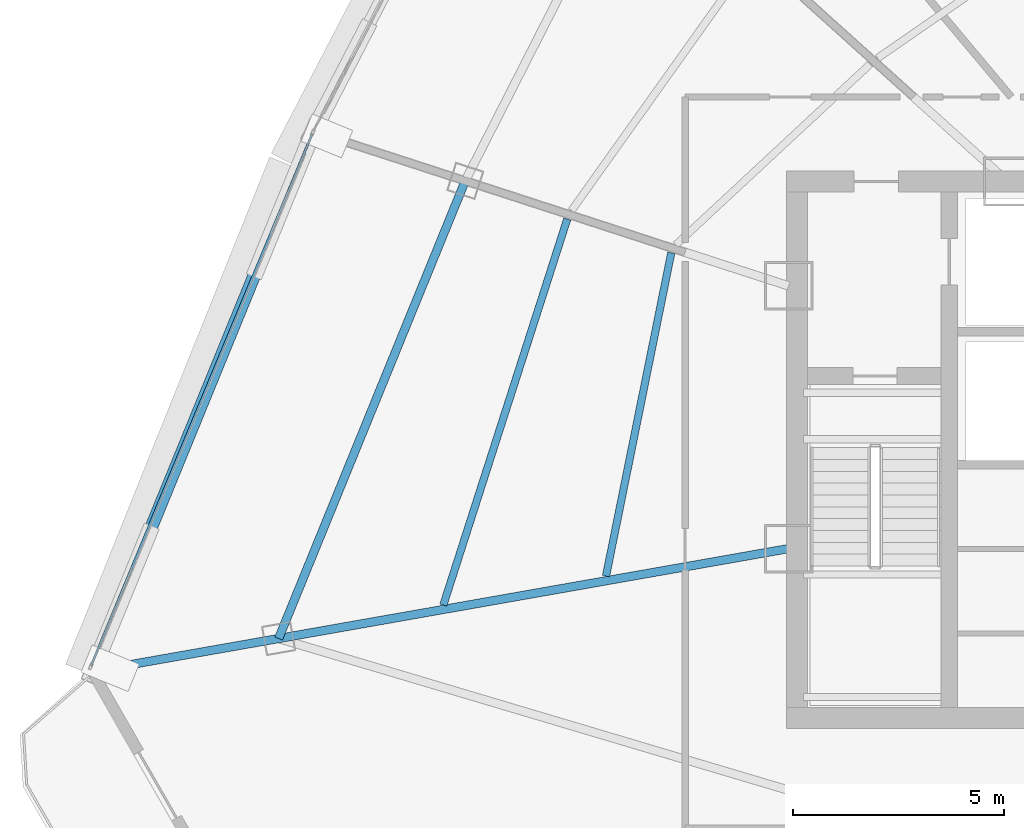
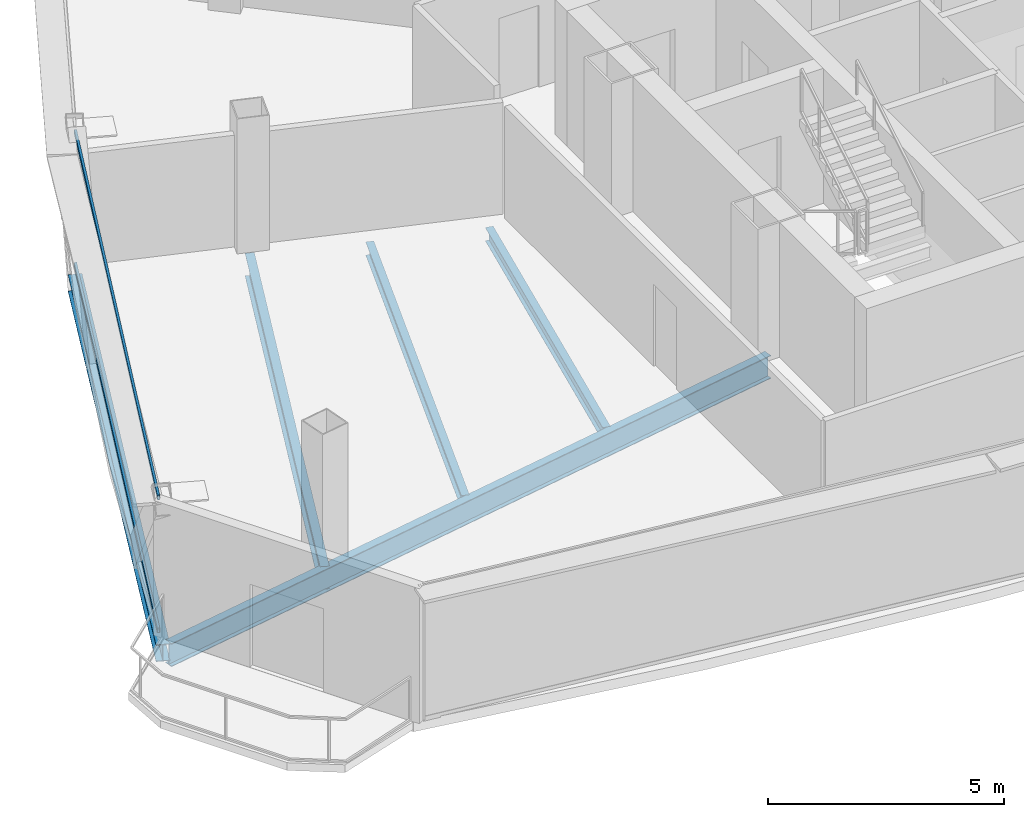
# One storey, part 5 of 34: 5 beams, 2 members, 1 element without a shape of its own.
"""IFC4 building model written with IfcOpenShell, lengths in metres."""

import ifcopenshell
import ifcopenshell.guid

model = None  # the IFC model being written
_history = None  # IfcOwnerHistory: only IFC2X3 demands one
_inside = {}  # id of a spatial element -> (the spatial element, [elements in it])
_under = {}  # id of a project, library or spatial element -> (it, [spatial elements below it])
_declared = {}  # id of a project -> (the project, [libraries it declares])
_typed = {}  # id of a type object -> (the type object, [elements of that type])
_made_of = {}  # id of a material, layer set ... -> (it, [elements and type objects made of it])


def new_model(schema):
    """Start an empty IFC model of exactly this schema.

    Asked for "IFC4X3", IfcOpenShell would pick the latest addendum, in which some entities
    have other attributes; the version numbers below select the first issue.
    IFC2X3 requires an IfcOwnerHistory on every rooted entity: one is made here for all.
    """
    global model, _history
    if schema == "IFC4X3":
        model = ifcopenshell.file(schema_version=(4, 3, 0, 0))
    else:
        model = ifcopenshell.file(schema=schema)
    _inside.clear()
    _under.clear()
    _declared.clear()
    _typed.clear()
    _made_of.clear()
    _history = None
    if model.schema == "IFC2X3":
        org = make("IfcOrganization", Name="unknown")
        user = make(
            "IfcPersonAndOrganization",
            ThePerson=make("IfcPerson", FamilyName="unknown"),
            TheOrganization=org,
        )
        app = make(
            "IfcApplication",
            ApplicationDeveloper=org,
            Version="unknown",
            ApplicationFullName="unknown",
            ApplicationIdentifier="unknown",
        )
        _history = make(
            "IfcOwnerHistory",
            OwningUser=user,
            OwningApplication=app,
            ChangeAction="ADDED",
            CreationDate=0,
        )
    return model


def make(cls, **values):
    """One entity of the class cls with the attributes given. An attribute that is None is left unset."""
    return model.create_entity(
        cls, **{name: value for name, value in values.items() if value is not None}
    )


def rooted(cls, **values):
    """An entity with a GlobalId (a new one), such as an element, a storey or a relation."""
    return make(cls, GlobalId=ifcopenshell.guid.new(), OwnerHistory=_history, **values)


def si_unit(unit_type, name, prefix=None):
    """IfcSIUnit, for example si_unit("LENGTHUNIT", "METRE", prefix="MILLI")."""
    return make("IfcSIUnit", UnitType=unit_type, Prefix=prefix, Name=name)


def assignment(units):
    """IfcUnitAssignment: the units of a project."""
    return None if units is None else make("IfcUnitAssignment", Units=units)


def point(xyz):
    """IfcCartesianPoint."""
    return None if xyz is None else make("IfcCartesianPoint", Coordinates=xyz)


def direction(xyz):
    """IfcDirection."""
    return None if xyz is None else make("IfcDirection", DirectionRatios=xyz)


def frame(location, z_axis=None, x_axis=None):
    """IfcAxis2Placement3D, a coordinate frame: its origin and axes. An axis left out is left unset."""
    return make(
        "IfcAxis2Placement3D",
        Location=point(location),
        Axis=direction(z_axis),
        RefDirection=direction(x_axis),
    )


def frame_2d(location, x_axis=None):
    """IfcAxis2Placement2D, a coordinate frame in the plane: its origin and x axis."""
    return make(
        "IfcAxis2Placement2D", Location=point(location), RefDirection=direction(x_axis)
    )


def origin():
    """The frame at (0, 0, 0) with its axes left unset."""
    return frame((0.0, 0.0, 0.0))


def origin_2d():
    """The frame at (0, 0) in the plane with its x axis left unset."""
    return frame_2d((0.0, 0.0))


def place(relative_to, where):
    """IfcLocalPlacement: puts the frame where relative to a parent placement (None: the world)."""
    return make(
        "IfcLocalPlacement", PlacementRelTo=relative_to, RelativePlacement=where
    )


def context(
    kind, dimensions, precision=None, world=None, true_north=None, identifier=None
):
    """IfcGeometricRepresentationContext, for example the 3D "Model" context."""
    return make(
        "IfcGeometricRepresentationContext",
        ContextIdentifier=identifier,
        ContextType=kind,
        CoordinateSpaceDimension=dimensions,
        Precision=precision,
        WorldCoordinateSystem=world,
        TrueNorth=true_north,
    )


def subcontext(parent, identifier, kind, view, scale=None):
    """IfcGeometricRepresentationSubContext, for example "Body" below "Model"."""
    return make(
        "IfcGeometricRepresentationSubContext",
        ContextIdentifier=identifier,
        ContextType=kind,
        ParentContext=parent,
        TargetScale=scale,
        TargetView=view,
    )


def project(units=None, contexts=None):
    """IfcProject with its units and contexts."""
    return rooted(
        "IfcProject",
        Name="project",
        RepresentationContexts=contexts,
        UnitsInContext=assignment(units),
    )


def spatial(cls, under=None, at=None, **own):
    """A site, building, storey or space (cls), placed at a placement, below another one or the project."""
    s = rooted(cls, ObjectPlacement=at, **own)
    if under is not None:
        _under.setdefault(under.id(), (under, []))[1].append(s)
    return s


def profile(cls, at=None, kind="AREA", **sizes):
    """A parametric profile (cls). Its sizes go by their IFC names, for example OverallWidth=200.0."""
    return make(cls, ProfileType=kind, Position=at, **sizes)


def hollow_rectangle(**sizes):
    """IfcRectangleHollowProfileDef."""
    return profile("IfcRectangleHollowProfileDef", **sizes)


def i_section(**sizes):
    """IfcIShapeProfileDef."""
    return profile("IfcIShapeProfileDef", **sizes)


def extrude(swept, where, along, depth):
    """IfcExtrudedAreaSolid: the profile swept, set in the frame where, extruded along a direction by depth."""
    return make(
        "IfcExtrudedAreaSolid",
        SweptArea=swept,
        Position=where,
        ExtrudedDirection=direction(along),
        Depth=depth,
    )


def shape(context_of_items, identifier, shape_type, items):
    """IfcShapeRepresentation: the items that make up one representation, for example the "Body"."""
    return make(
        "IfcShapeRepresentation",
        ContextOfItems=context_of_items,
        RepresentationIdentifier=identifier,
        RepresentationType=shape_type,
        Items=items,
    )


def source(mapping_origin, context_of_items, identifier, shape_type, items):
    """IfcRepresentationMap: a shape defined once, which mapped items show again and again."""
    return make(
        "IfcRepresentationMap",
        MappingOrigin=mapping_origin,
        MappedRepresentation=shape(context_of_items, identifier, shape_type, items),
    )


def transform(
    local_origin,
    x_axis=None,
    y_axis=None,
    z_axis=None,
    scale=None,
    scale2=None,
    scale3=None,
    uniform=True,
):
    """IfcCartesianTransformationOperator3D, or its non-uniform kind. x_axis, y_axis, z_axis: its Axis1, 2, 3."""
    if uniform:
        return make(
            "IfcCartesianTransformationOperator3D",
            Axis1=direction(x_axis),
            Axis2=direction(y_axis),
            LocalOrigin=point(local_origin),
            Scale=scale,
            Axis3=direction(z_axis),
        )
    return make(
        "IfcCartesianTransformationOperator3DnonUniform",
        Axis1=direction(x_axis),
        Axis2=direction(y_axis),
        LocalOrigin=point(local_origin),
        Scale=scale,
        Axis3=direction(z_axis),
        Scale2=scale2,
        Scale3=scale3,
    )


def mapped(mapping_source, mapping_target):
    """IfcMappedItem: shows the shape of a source again, moved by a transform."""
    return make(
        "IfcMappedItem", MappingSource=mapping_source, MappingTarget=mapping_target
    )


def material(Name=None, Category=None):
    """IfcMaterial."""
    return make("IfcMaterial", Name=Name, Category=Category)


def layer(
    of_material, thickness, ventilated=None, Name=None, Category=None, Priority=None
):
    """IfcMaterialLayer: one layer of a wall or slab, of a material (None: an air gap)."""
    return make(
        "IfcMaterialLayer",
        Material=of_material,
        LayerThickness=thickness,
        IsVentilated=ventilated,
        Name=Name,
        Category=Category,
        Priority=Priority,
    )


def layer_set(layers, Name=None):
    """IfcMaterialLayerSet."""
    return make("IfcMaterialLayerSet", MaterialLayers=layers, LayerSetName=Name)


def material_profile(
    of_material, cross_section, Name=None, Category=None, Priority=None
):
    """IfcMaterialProfile: a cross section and its material."""
    return make(
        "IfcMaterialProfile",
        Name=Name,
        Material=of_material,
        Profile=cross_section,
        Priority=Priority,
        Category=Category,
    )


def profile_set(profiles, Name=None, composite=None):
    """IfcMaterialProfileSet."""
    return make(
        "IfcMaterialProfileSet",
        Name=Name,
        MaterialProfiles=profiles,
        CompositeProfile=composite,
    )


def made_of(thing, what):
    """Note that an element or type object is made of a material, layer set ...; save() writes the relation."""
    if what is not None:
        _made_of.setdefault(what.id(), (what, []))[1].append(thing)
    return thing


def type_object(cls, material=None, **own):
    """A type object (cls), such as IfcWallType, which elements share."""
    return made_of(rooted(cls, **own), material)


def element(
    cls,
    number,
    at=None,
    inside=None,
    cuts=None,
    type_object=None,
    material=None,
    context=None,
    identifier="Body",
    shape_type=None,
    held_by="IfcProductDefinitionShape",
    body=None,
    shapes=None,
    **own,
):
    """One element of the class cls, such as IfcWall. Its Tag is "e" and its number.

    at: its placement. inside: the storey or other place that contains it. cuts: it is an
    opening in that element (IfcRelVoidsElement). A single representation is given by context,
    identifier, shape_type and body (its items); several are given by shapes. held_by: the class
    of the entity that holds the representations. save() writes the other relations.
    """
    e = rooted(cls, Tag="e%d" % number, ObjectPlacement=at, **own)
    if body is not None:
        shapes = [shape(context, identifier, shape_type, body)]
    if shapes is not None:
        e.Representation = make(held_by, Representations=shapes)
    if inside is not None:
        _inside.setdefault(inside.id(), (inside, []))[1].append(e)
    if cuts is not None:
        rooted(
            "IfcRelVoidsElement", RelatingBuildingElement=cuts, RelatedOpeningElement=e
        )
    if type_object is not None:
        _typed.setdefault(type_object.id(), (type_object, []))[1].append(e)
    return made_of(e, material)


def aggregate(whole, parts):
    """IfcRelAggregates: a whole, such as a stair, and the parts it consists of."""
    return rooted("IfcRelAggregates", RelatingObject=whole, RelatedObjects=parts)


def save(model, path):
    """Write the relations noted so far, then the file.

    IfcRelAggregates (storeys below a building ...), IfcRelContainedInSpatialStructure (elements
    in a storey), IfcRelDefinesByType, IfcRelAssociatesMaterial and IfcRelDeclares: one each for
    every whole, place, type object, material and project.
    """
    for whole, parts in _under.values():
        aggregate(whole, parts)
    for where, things in _inside.values():
        rooted(
            "IfcRelContainedInSpatialStructure",
            RelatedElements=things,
            RelatingStructure=where,
        )
    for kind, things in _typed.values():
        rooted("IfcRelDefinesByType", RelatedObjects=things, RelatingType=kind)
    for what, things in _made_of.values():
        rooted("IfcRelAssociatesMaterial", RelatedObjects=things, RelatingMaterial=what)
    for by, libraries in _declared.values():
        rooted("IfcRelDeclares", RelatingContext=by, RelatedDefinitions=libraries)
    model.write(path)


model = new_model("IFC4")

# Units and contexts
model_context = context("Model", 3, precision=1e-05, world=origin(), true_north=direction((0.0, 1.0)))
body_context = subcontext(model_context, "Body", "Model", "MODEL_VIEW")
ifc_project = project(units=[si_unit("LENGTHUNIT", "METRE"), si_unit("AREAUNIT", "SQUARE_METRE"), si_unit("VOLUMEUNIT", "CUBIC_METRE"), si_unit("PLANEANGLEUNIT", "RADIAN"), si_unit("MASSUNIT", "GRAM", prefix="KILO"), si_unit("THERMODYNAMICTEMPERATUREUNIT", "KELVIN"), si_unit("POWERUNIT", "WATT")], contexts=[model_context])

# Site, building, storey
site_placement = place(None, origin())
site = spatial("IfcSite", under=ifc_project, at=site_placement, CompositionType="ELEMENT")
building_placement = place(site_placement, origin())
building = spatial("IfcBuilding", under=site, at=building_placement, Name="Yunzhuo Pagoda Commons", CompositionType="ELEMENT")
storey_placement = place(building_placement, frame((0.0, 0.0, 333.010009765625)))
storey = spatial("IfcBuildingStorey", under=building, at=storey_placement, Name="L83", CompositionType="ELEMENT", Elevation=333.010009765625)

# Beams
ifc_material_1 = material(Name="Structural steel Q355B", Category="steel")
ifc_material_profile_1 = material_profile(ifc_material_1, i_section(OverallWidth=0.300048828125, OverallDepth=0.43994140625, WebThickness=0.010986328125, FlangeThickness=0.01806640625, at=origin_2d()), Name="Structural steel Q355B")
ifc_profile_set_1 = profile_set([ifc_material_profile_1], Name="Structural steel Q355B")
beam_type_1 = type_object("IfcBeamType", Name="B-SP2 Beam HM 440x300x11x18", PredefinedType="BEAM", material=ifc_profile_set_1)
shared_shape_1 = source(origin(), body_context, "Body", "SweptSolid", [
    extrude(i_section(OverallWidth=0.300048828125, OverallDepth=0.43994140625, WebThickness=0.010986328125, FlangeThickness=0.01806640625, at=origin_2d()), origin(), (0.0, 0.0, 1.0), 13.80419921875),
])
beam_1_placement = place(storey_placement, frame((24.348388671875, 41.385009765625, -0.47998046875), z_axis=(-0.378566733914, -0.925573999189, 0.0), x_axis=(0.925573999189, -0.378566733914, 0.0)))
element("IfcBeam", 1, at=beam_1_placement, inside=storey, type_object=beam_type_1, Name="L83 facade edge spandrel beam F3.3", PredefinedType="BEAM", context=body_context, shape_type="MappedRepresentation", body=[
    mapped(shared_shape_1, transform((0.0, 0.0, 0.0), scale=1.0)),
])
ifc_material_profile_2 = material_profile(ifc_material_1, i_section(OverallWidth=0.199951171875, OverallDepth=0.60009765625, WebThickness=0.010986328125, FlangeThickness=0.01708984375, at=origin_2d()), Name="Structural steel Q355B")
ifc_profile_set_2 = profile_set([ifc_material_profile_2], Name="Structural steel Q355B")
beam_type_2 = type_object("IfcBeamType", Name="B-RG3 Beam HN 600x200x11x17", PredefinedType="BEAM", material=ifc_profile_set_2)
shared_shape_2 = source(origin(), body_context, "Body", "SweptSolid", [
    extrude(i_section(OverallWidth=0.199951171875, OverallDepth=0.60009765625, WebThickness=0.010986328125, FlangeThickness=0.01708984375, at=origin_2d()), origin(), (0.0, 0.0, 1.0), 11.696533203125),
])
beam_2_placement = place(storey_placement, frame((27.946533203125, 40.2158203125, -0.56005859375), z_axis=(-0.377611800863, -0.925963999219, 0.0), x_axis=(0.925963999219, -0.377611800863, 0.0)))
element("IfcBeam", 2, at=beam_2_placement, inside=storey, type_object=beam_type_2, Name="L83 column-ring beam 11", PredefinedType="BEAM", context=body_context, shape_type="MappedRepresentation", body=[
    mapped(shared_shape_2, transform((0.0, 0.0, 0.0), scale=1.0)),
])
shared_shape_3 = source(origin(), body_context, "Body", "SweptSolid", [
    extrude(i_section(OverallWidth=0.199951171875, OverallDepth=0.60009765625, WebThickness=0.010986328125, FlangeThickness=0.01708984375, at=origin_2d()), origin(), (0.0, 0.0, 1.0), 16.576416015625),
])
beam_3_placement = place(storey_placement, frame((19.275390625, 28.635009765625, -0.56005859375), z_axis=(0.984808457955, 0.173644179692, 0.0), x_axis=(-0.173644179692, 0.984808457955, 0.0)))
element("IfcBeam", 3, at=beam_3_placement, inside=storey, type_object=beam_type_2, Name="L83 radial floor girder F3C4", PredefinedType="BEAM", context=body_context, shape_type="MappedRepresentation", body=[
    mapped(shared_shape_3, transform((0.0, 0.0, 0.0), scale=1.0)),
])
ifc_material_profile_3 = material_profile(ifc_material_1, i_section(OverallWidth=0.175048828125, OverallDepth=0.35009765625, WebThickness=0.007080078125, FlangeThickness=0.010986328125, at=origin_2d()), Name="Structural steel Q355B")
ifc_profile_set_3 = profile_set([ifc_material_profile_3], Name="Structural steel Q355B")
beam_type_3 = type_object("IfcBeamType", Name="B-JS2 Joist HN 350x175x7x11", PredefinedType="JOIST", material=ifc_profile_set_3)
shared_shape_4 = source(origin(), body_context, "Body", "SweptSolid", [
    extrude(i_section(OverallWidth=0.175048828125, OverallDepth=0.35009765625, WebThickness=0.007080078125, FlangeThickness=0.010986328125, at=origin_2d()), origin(), (0.0, 0.0, 1.0), 7.8056640625),
])
beam_4_placement = place(storey_placement, frame((32.822265625, 38.511474609375, -0.43505859375), z_axis=(-0.197890187791, -0.980224195568, 0.0), x_axis=(0.980224195568, -0.197890187791, 0.0)))
element("IfcBeam", 4, at=beam_4_placement, inside=storey, type_object=beam_type_3, Name="L83 composite ring joist 1.11", PredefinedType="JOIST", context=body_context, shape_type="MappedRepresentation", body=[
    mapped(shared_shape_4, transform((0.0, 0.0, 0.0), scale=1.0)),
])
shared_shape_5 = source(origin(), body_context, "Body", "SweptSolid", [
    extrude(i_section(OverallWidth=0.175048828125, OverallDepth=0.35009765625, WebThickness=0.007080078125, FlangeThickness=0.010986328125, at=origin_2d()), origin(), (0.0, 0.0, 1.0), 9.593994140625),
])
beam_5_placement = place(storey_placement, frame((30.360595703125, 39.310546875, -0.43505859375), z_axis=(-0.305719218499, -0.952121714614, 0.0), x_axis=(0.952121714614, -0.305719218499, 0.0)))
element("IfcBeam", 5, at=beam_5_placement, inside=storey, type_object=beam_type_3, Name="L83 composite ring joist 2.11", PredefinedType="JOIST", context=body_context, shape_type="MappedRepresentation", body=[
    mapped(shared_shape_5, transform((0.0, 0.0, 0.0), scale=1.0)),
])

# Curtain wall, members
ifc_material_2 = material(Name="Anodized aluminium 6063-T6", Category="aluminium")
ifc_layer = layer(ifc_material_2, 0.139892578125)
ifc_layer_set = layer_set([ifc_layer], Name="Anodized aluminium 6063-T6")
curtain_wall_type = type_object("IfcCurtainWallType", Name="CW-HI High-Zone Ribbon Curtain Wall", PredefinedType="NOTDEFINED", material=ifc_layer_set)
curtain_wall_placement = place(storey_placement, origin())
curtain_wall = element("IfcCurtainWall", 6, at=curtain_wall_placement, inside=storey, type_object=curtain_wall_type, Name="L83 curtain wall CW-L83-F3B4", PredefinedType="NOTDEFINED")
ifc_material_profile_4 = material_profile(ifc_material_2, hollow_rectangle(XDim=0.054931640625, YDim=0.1201171875, WallThickness=0.00341796875, at=origin_2d()), Name="Anodized aluminium 6063-T6")
ifc_profile_set_4 = profile_set([ifc_material_profile_4], Name="Anodized aluminium 6063-T6")
member_type = type_object("IfcMemberType", Name="CW-HI-T Transom RHS 120x55x3.5", PredefinedType="USERDEFINED", material=ifc_profile_set_4)
shared_shape_6 = source(origin(), body_context, "Body", "SweptSolid", [
    extrude(hollow_rectangle(XDim=0.054931640625, YDim=0.1201171875, WallThickness=0.00341796875, at=origin_2d()), origin(), (0.0, 0.0, 1.0), 13.62646484375),
])
member_1_placement = place(storey_placement, frame((24.3251953125, 41.32958984375, 0.027587890625), z_axis=(-0.383812484242, -0.92341105524, 0.0), x_axis=(0.92341105524, -0.383812484242, 0.0)))
member_1 = element("IfcMember", 7, at=member_1_placement, type_object=member_type, Name="CW transom 1.1", ObjectType="TRANSOM", PredefinedType="USERDEFINED", context=body_context, shape_type="MappedRepresentation", body=[
    mapped(shared_shape_6, transform((0.0, 0.0, 0.0), scale=1.0)),
])
member_2_placement = place(storey_placement, frame((24.3251953125, 41.32958984375, 3.46240234375), z_axis=(-0.383812484242, -0.92341105524, 0.0), x_axis=(0.92341105524, -0.383812484242, 0.0)))
member_2 = element("IfcMember", 8, at=member_2_placement, type_object=member_type, Name="CW transom 1.2", ObjectType="TRANSOM", PredefinedType="USERDEFINED", context=body_context, shape_type="MappedRepresentation", body=[
    mapped(shared_shape_6, transform((0.0, 0.0, 0.0), scale=1.0)),
])
aggregate(curtain_wall, [member_1, member_2])

save(model, "model.ifc")
